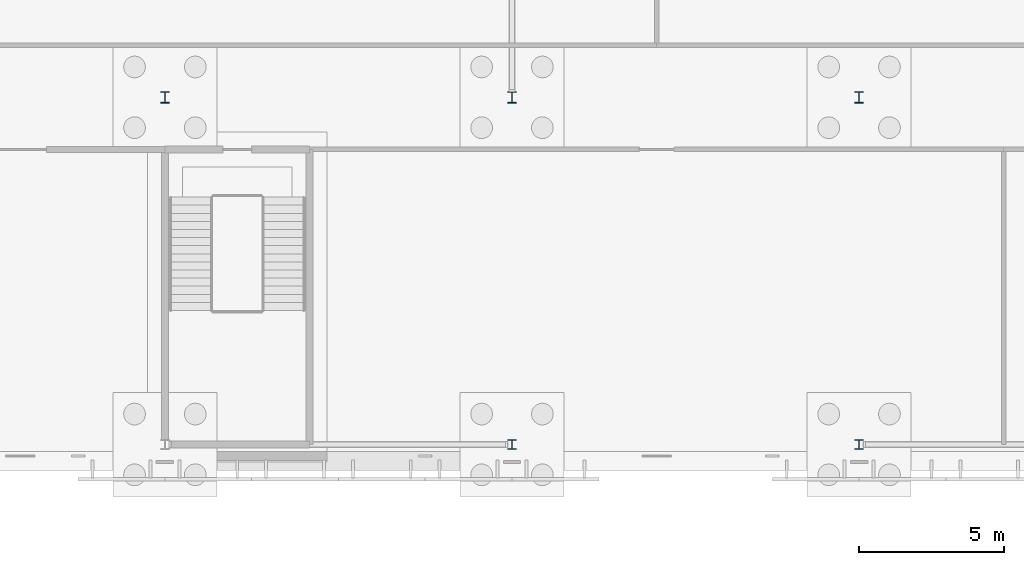
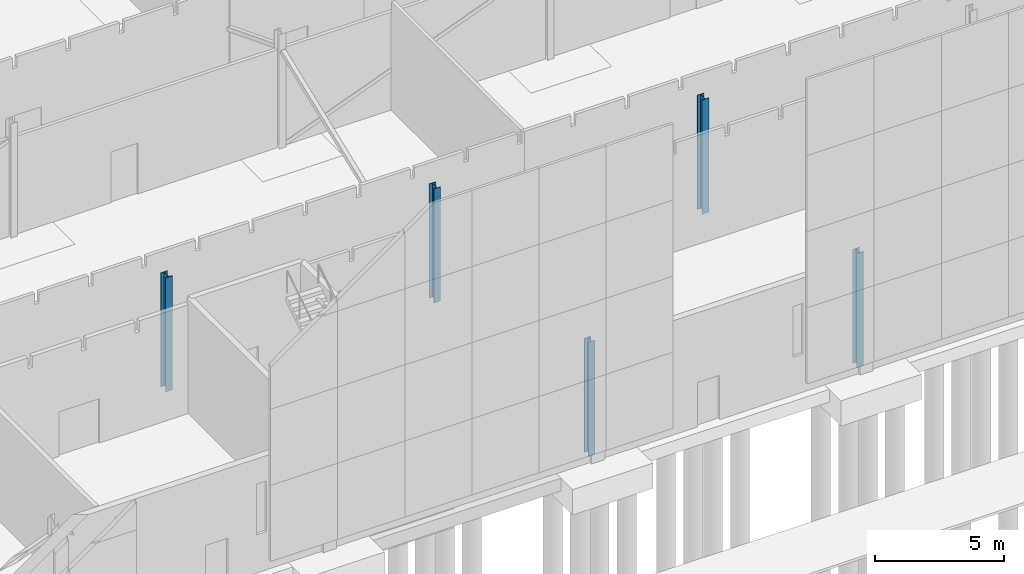
# One storey, part 14 of 132: 5 columns.
"""IFC4 building model written with IfcOpenShell, lengths in metres."""

from ifc_helpers import new_model, si_unit, direction, frame, origin, origin_2d, place, context, subcontext, project, spatial, i_section, extrude, material, material_profile, profile_set, type_object, element, save


model = new_model("IFC4")

# Units and contexts
model_context = context("Model", 3, precision=1e-05, world=origin(), true_north=direction((0.0, 1.0)))
body_context = subcontext(model_context, "Body", "Model", "MODEL_VIEW")
ifc_project = project(units=[si_unit("LENGTHUNIT", "METRE"), si_unit("AREAUNIT", "SQUARE_METRE"), si_unit("VOLUMEUNIT", "CUBIC_METRE"), si_unit("PLANEANGLEUNIT", "RADIAN"), si_unit("MASSUNIT", "GRAM", prefix="KILO")], contexts=[model_context])

# Site, building, storey
site_placement = place(None, origin())
site = spatial("IfcSite", under=ifc_project, at=site_placement, CompositionType="ELEMENT")
building_placement = place(site_placement, origin())
building = spatial("IfcBuilding", under=site, at=building_placement, Name="Ravi Spectrum Wholesale Market", CompositionType="ELEMENT")
storey_placement = place(building_placement, origin())
storey = spatial("IfcBuildingStorey", under=building, at=storey_placement, Name="L00", CompositionType="ELEMENT", Elevation=0.0)

# Columns
ifc_material_1 = material(Name="Steel S355", Category="steel")
ifc_material_profile_1 = material_profile(ifc_material_1, i_section(OverallWidth=0.300048828125, OverallDepth=0.340087890625, WebThickness=0.011962890625, FlangeThickness=0.021484375, at=origin_2d()))
ifc_profile_set_1 = profile_set([ifc_material_profile_1], Name="Steel S355")
column_type_1 = type_object("IfcColumnType", Name="HEB 340 column", PredefinedType="COLUMN", material=ifc_profile_set_1)
for number, where, z_axis, x_axis, name in (
    (1, (246.0, 18.0, 0.0), (0.0, 0.0, 1.0), (1.0, 0.0, 0.0), "CS-COL-L00-021"),
    (2, (258.0, 18.0, 0.0), (0.0, 0.0, 1.0), (1.0, 0.0, 0.0), "CS-COL-L00-026"),
):
    element("IfcColumn", number, at=place(storey_placement, frame(where, z_axis=z_axis, x_axis=x_axis)), inside=storey, type_object=column_type_1, Name=name, PredefinedType="COLUMN", context=body_context, shape_type="SweptSolid", body=[
        extrude(i_section(OverallWidth=0.300048828125, OverallDepth=0.340087890625, WebThickness=0.011962890625, FlangeThickness=0.021484375, at=origin_2d()), origin(), (0.0, 0.0, 1.0), 5.39990234375),
    ])
ifc_material_2 = material(Name="Steel S355", Category="steel")
ifc_material_profile_2 = material_profile(ifc_material_2, i_section(OverallWidth=0.300048828125, OverallDepth=0.39990234375, WebThickness=0.013427734375, FlangeThickness=0.02392578125, at=origin_2d()))
ifc_profile_set_2 = profile_set([ifc_material_profile_2], Name="Steel S355")
column_type_2 = type_object("IfcColumnType", Name="HEB 400 column", PredefinedType="COLUMN", material=ifc_profile_set_2)
for number, where, z_axis, x_axis, name in (
    (3, (234.0, 30.0, 0.0), (0.0, 0.0, 1.0), (1.0, 0.0, 0.0), "CS-COL-L00-017"),
    (4, (246.0, 30.0, 0.0), (0.0, 0.0, 1.0), (1.0, 0.0, 0.0), "CS-COL-L00-022"),
    (5, (258.0, 30.0, 0.0), (0.0, 0.0, 1.0), (1.0, 0.0, 0.0), "CS-COL-L00-027"),
):
    element("IfcColumn", number, at=place(storey_placement, frame(where, z_axis=z_axis, x_axis=x_axis)), inside=storey, type_object=column_type_2, Name=name, PredefinedType="COLUMN", context=body_context, shape_type="SweptSolid", body=[
        extrude(i_section(OverallWidth=0.300048828125, OverallDepth=0.39990234375, WebThickness=0.013427734375, FlangeThickness=0.02392578125, at=origin_2d()), origin(), (0.0, 0.0, 1.0), 5.39990234375),
    ])

save(model, "model.ifc")
